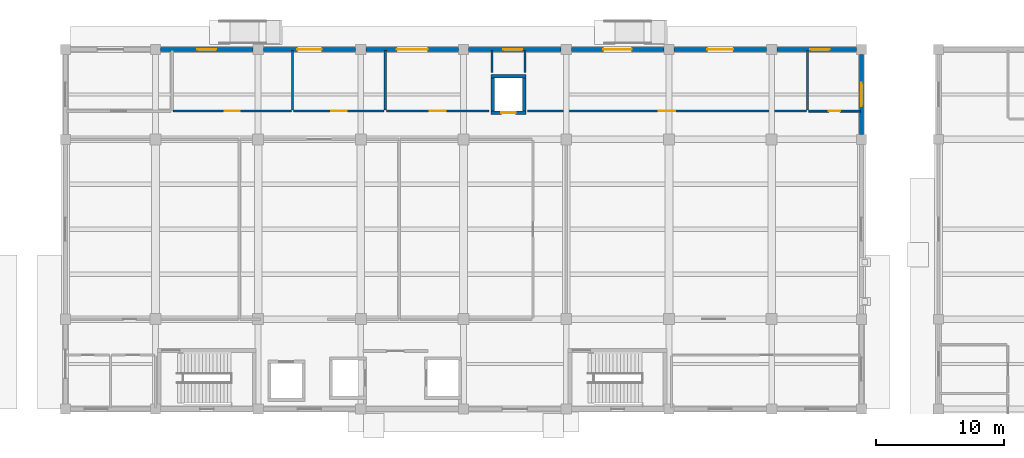
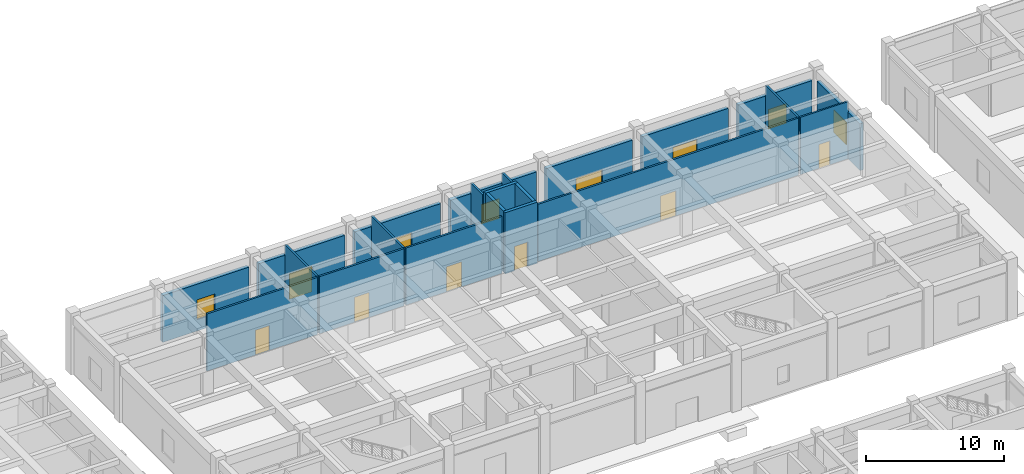
# One storey, part 26 of 40: 22 walls, 10 doors, 4 windows, 14 openings.
"""IFC4 building model written with IfcOpenShell, lengths in metres."""

from ifc_helpers import new_model, si_unit, direction, frame, frame_2d, origin, place, context, subcontext, project, spatial, rectangle, extrude, material, layer, layer_set, type_object, element, fill, save


model = new_model("IFC4")

# Units and contexts
model_context = context("Model", 3, precision=1e-05, world=origin(), true_north=direction((0.0, 1.0)))
body_context = subcontext(model_context, "Body", "Model", "MODEL_VIEW")
ifc_project = project(units=[si_unit("LENGTHUNIT", "METRE"), si_unit("AREAUNIT", "SQUARE_METRE"), si_unit("VOLUMEUNIT", "CUBIC_METRE"), si_unit("PLANEANGLEUNIT", "RADIAN"), si_unit("MASSUNIT", "GRAM", prefix="KILO")], contexts=[model_context])

# Site, building, storey
site_placement = place(None, origin())
site = spatial("IfcSite", under=ifc_project, at=site_placement, CompositionType="ELEMENT")
building_placement = place(site_placement, origin())
building = spatial("IfcBuilding", under=site, at=building_placement, Name="Naurynzar Civic Courthouse", CompositionType="ELEMENT")
storey_placement = place(building_placement, origin())
storey = spatial("IfcBuildingStorey", under=building, at=storey_placement, Name="L01", CompositionType="ELEMENT", Elevation=0.0)

# Wall, opening, window
ifc_material_1 = material(Name="Precast concrete C40/50", Category="concrete")
ifc_layer_1 = layer(ifc_material_1, 0.300048828125)
ifc_layer_set_1 = layer_set([ifc_layer_1], Name="WL-EXT-300")
wall_type_1 = type_object("IfcWallType", Name="WL-EXT-300", PredefinedType="SOLIDWALL", material=ifc_layer_set_1)
wall_1_placement = place(storey_placement, frame((69.39990234375, 72.0, 0.0), z_axis=(0.0, 0.0, 1.0), x_axis=(1.0, 0.0, 0.0)))
wall_1 = element("IfcWall", 1, at=wall_1_placement, inside=storey, type_object=wall_type_1, Name="V2 exterior wall north L01.2.1", PredefinedType="SOLIDWALL", context=body_context, shape_type="SweptSolid", body=[
    extrude(rectangle(XDim=7.2001953125, YDim=0.300048828125, at=frame_2d((3.60009765625, 0.0))), origin(), (0.0, 0.0, 1.0), 4.1298828125),
])
opening_1_placement = place(wall_1_placement, frame((2.85009765625, 0.0, 1.0)))
opening_1 = element("IfcOpeningElement", 2, at=opening_1_placement, cuts=wall_1, Name="Opening WN-05", PredefinedType="OPENING", context=body_context, shape_type="SweptSolid", body=[
    extrude(rectangle(XDim=1.5, YDim=1.75, at=frame_2d((0.75, 0.875))), frame((0.0, 0.159912109375, 0.0), z_axis=(0.0, -1.0, 0.0), x_axis=(1.0, 0.0, 0.0)), (0.0, 0.0, 1.0), 0.320068359375),
])
ifc_material_2 = material(Name="Tempered Laminated Low-E Glass", Category="glass")
window_type_1 = type_object("IfcWindowType", Name="WIN-CHAMB-1500x1750", PartitioningType="SINGLE_PANEL", PredefinedType="WINDOW", material=ifc_material_2)
window_1_placement = place(opening_1_placement, origin())
window_1 = element("IfcWindow", 3, at=window_1_placement, inside=storey, type_object=window_type_1, Name="V2 window 41 L01", OverallHeight=1.75, OverallWidth=1.5, PartitioningType="SINGLE_PANEL", PredefinedType="WINDOW", context=body_context, shape_type="SweptSolid", body=[
    extrude(rectangle(XDim=1.5, YDim=1.75, at=frame_2d((0.75, 0.875))), frame((0.0, 0.030029296875, 0.0), z_axis=(0.0, -1.0, 0.0), x_axis=(1.0, 0.0, 0.0)), (0.0, 0.0, 1.0), 0.06005859375),
])
fill(opening_1, window_1)

# Wall, opening, door
wall_2_placement = place(storey_placement, frame((77.39990234375, 72.0, 0.0), z_axis=(0.0, 0.0, 1.0), x_axis=(1.0, 0.0, 0.0)))
wall_2 = element("IfcWall", 4, at=wall_2_placement, inside=storey, type_object=wall_type_1, Name="V2 exterior wall north L01.3.1", PredefinedType="SOLIDWALL", context=body_context, shape_type="SweptSolid", body=[
    extrude(rectangle(XDim=7.2001953125, YDim=0.300048828125, at=frame_2d((3.60009765625, 0.0))), origin(), (0.0, 0.0, 1.0), 4.1298828125),
])
opening_2_placement = place(wall_2_placement, frame((2.64990234375, 0.0, 0.0)))
opening_2 = element("IfcOpeningElement", 5, at=opening_2_placement, cuts=wall_2, Name="Opening ED-08", PredefinedType="OPENING", context=body_context, shape_type="SweptSolid", body=[
    extrude(rectangle(XDim=1.89990234375, YDim=2.25, at=frame_2d((0.949951171875, 1.125))), frame((0.0, 0.159912109375, 0.0), z_axis=(0.0, -1.0, 0.0), x_axis=(1.0, 0.0, 0.0)), (0.0, 0.0, 1.0), 0.320068359375),
])
ifc_material_3 = material(Name="Aluminium 6063-T6", Category="aluminium")
door_type_1 = type_object("IfcDoorType", Name="DR-EXT-1900x2250", OperationType="DOUBLE_DOOR_SINGLE_SWING", PredefinedType="DOOR", material=ifc_material_3)
door_1_placement = place(opening_2_placement, origin())
door_1 = element("IfcDoor", 6, at=door_1_placement, inside=storey, type_object=door_type_1, Name="Ground final exit door ED-08", OperationType="DOUBLE_DOOR_SINGLE_SWING", OverallHeight=2.25, OverallWidth=1.89990234375, PredefinedType="DOOR", context=body_context, shape_type="SweptSolid", body=[
    extrude(rectangle(XDim=1.89990234375, YDim=2.25, at=frame_2d((0.949951171875, 1.125))), frame((0.0, 0.02490234375, 0.0), z_axis=(0.0, -1.0, 0.0), x_axis=(1.0, 0.0, 0.0)), (0.0, 0.0, 1.0), 0.050048828125),
])
fill(opening_2, door_1)

wall_3_placement = place(storey_placement, frame((85.39990234375, 72.0, 0.0), z_axis=(0.0, 0.0, 1.0), x_axis=(1.0, 0.0, 0.0)))
wall_3 = element("IfcWall", 7, at=wall_3_placement, inside=storey, type_object=wall_type_1, Name="V2 exterior wall north L01.4.1", PredefinedType="SOLIDWALL", context=body_context, shape_type="SweptSolid", body=[
    extrude(rectangle(XDim=7.2001953125, YDim=0.300048828125, at=frame_2d((3.60009765625, 0.0))), origin(), (0.0, 0.0, 1.0), 4.1298828125),
])
opening_3_placement = place(wall_3_placement, frame((2.39990234375, 0.0, 0.0)))
opening_3 = element("IfcOpeningElement", 8, at=opening_3_placement, cuts=wall_3, Name="Opening ED-09", PredefinedType="OPENING", context=body_context, shape_type="SweptSolid", body=[
    extrude(rectangle(XDim=2.39990234375, YDim=2.39990234375, at=frame_2d((1.199951171875, 1.199951171875))), frame((0.0, 0.159912109375, 0.0), z_axis=(0.0, -1.0, 0.0), x_axis=(1.0, 0.0, 0.0)), (0.0, 0.0, 1.0), 0.320068359375),
])
ifc_material_4 = material(Name="Aluminium 6063-T6", Category="aluminium")
door_type_2 = type_object("IfcDoorType", Name="DR-EXT-2400x2400", OperationType="DOUBLE_DOOR_SINGLE_SWING", PredefinedType="DOOR", material=ifc_material_4)
door_2_placement = place(opening_3_placement, origin())
door_2 = element("IfcDoor", 9, at=door_2_placement, inside=storey, type_object=door_type_2, Name="Ground final exit door ED-09", OperationType="DOUBLE_DOOR_SINGLE_SWING", OverallHeight=2.39990234375, OverallWidth=2.39990234375, PredefinedType="DOOR", context=body_context, shape_type="SweptSolid", body=[
    extrude(rectangle(XDim=2.39990234375, YDim=2.39990234375, at=frame_2d((1.199951171875, 1.199951171875))), frame((0.0, 0.02490234375, 0.0), z_axis=(0.0, -1.0, 0.0), x_axis=(1.0, 0.0, 0.0)), (0.0, 0.0, 1.0), 0.050048828125),
])
fill(opening_3, door_2)

# Wall, opening, window
wall_4_placement = place(storey_placement, frame((93.39990234375, 72.0, 0.0), z_axis=(0.0, 0.0, 1.0), x_axis=(1.0, 0.0, 0.0)))
wall_4 = element("IfcWall", 10, at=wall_4_placement, inside=storey, type_object=wall_type_1, Name="V2 exterior wall north L01.5.1", PredefinedType="SOLIDWALL", context=body_context, shape_type="SweptSolid", body=[
    extrude(rectangle(XDim=7.2001953125, YDim=0.300048828125, at=frame_2d((3.60009765625, 0.0))), origin(), (0.0, 0.0, 1.0), 4.1298828125),
])
opening_4_placement = place(wall_4_placement, frame((2.679931640625, 0.0, 1.0)))
opening_4 = element("IfcOpeningElement", 11, at=opening_4_placement, cuts=wall_4, Name="Opening WN-05", PredefinedType="OPENING", context=body_context, shape_type="SweptSolid", body=[
    extrude(rectangle(XDim=1.5, YDim=1.75, at=frame_2d((0.75, 0.875))), frame((0.0, 0.159912109375, 0.0), z_axis=(0.0, -1.0, 0.0), x_axis=(1.0, 0.0, 0.0)), (0.0, 0.0, 1.0), 0.320068359375),
])
window_2_placement = place(opening_4_placement, origin())
window_2 = element("IfcWindow", 12, at=window_2_placement, inside=storey, type_object=window_type_1, Name="V2 window 42 L01", OverallHeight=1.75, OverallWidth=1.5, PartitioningType="SINGLE_PANEL", PredefinedType="WINDOW", context=body_context, shape_type="SweptSolid", body=[
    extrude(rectangle(XDim=1.5, YDim=1.75, at=frame_2d((0.75, 0.875))), frame((0.0, 0.030029296875, 0.0), z_axis=(0.0, -1.0, 0.0), x_axis=(1.0, 0.0, 0.0)), (0.0, 0.0, 1.0), 0.06005859375),
])
fill(opening_4, window_2)

# Wall, opening, door
wall_5_placement = place(storey_placement, frame((101.39990234375, 72.0, 0.0), z_axis=(0.0, 0.0, 1.0), x_axis=(1.0, 0.0, 0.0)))
wall_5 = element("IfcWall", 13, at=wall_5_placement, inside=storey, type_object=wall_type_1, Name="V2 exterior wall north L01.6.1", PredefinedType="SOLIDWALL", context=body_context, shape_type="SweptSolid", body=[
    extrude(rectangle(XDim=7.2001953125, YDim=0.300048828125, at=frame_2d((3.60009765625, 0.0))), origin(), (0.0, 0.0, 1.0), 4.1298828125),
])
opening_5_placement = place(wall_5_placement, frame((2.5, 0.0, 0.0)))
opening_5 = element("IfcOpeningElement", 14, at=opening_5_placement, cuts=wall_5, Name="Opening ED-10", PredefinedType="OPENING", context=body_context, shape_type="SweptSolid", body=[
    extrude(rectangle(XDim=2.199951171875, YDim=2.39990234375, at=frame_2d((1.10009765625, 1.199951171875))), frame((0.0, 0.159912109375, 0.0), z_axis=(0.0, -1.0, 0.0), x_axis=(1.0, 0.0, 0.0)), (0.0, 0.0, 1.0), 0.320068359375),
])
ifc_material_5 = material(Name="Aluminium 6063-T6", Category="aluminium")
door_type_3 = type_object("IfcDoorType", Name="DR-EXT-2200x2400", OperationType="DOUBLE_DOOR_SINGLE_SWING", PredefinedType="DOOR", material=ifc_material_5)
door_3_placement = place(opening_5_placement, origin())
door_3 = element("IfcDoor", 15, at=door_3_placement, inside=storey, type_object=door_type_3, Name="Ground final exit door ED-10", OperationType="DOUBLE_DOOR_SINGLE_SWING", OverallHeight=2.39990234375, OverallWidth=2.199951171875, PredefinedType="DOOR", context=body_context, shape_type="SweptSolid", body=[
    extrude(rectangle(XDim=2.199951171875, YDim=2.39990234375, at=frame_2d((1.10009765625, 1.199951171875))), frame((0.0, 0.02490234375, 0.0), z_axis=(0.0, -1.0, 0.0), x_axis=(1.0, 0.0, 0.0)), (0.0, 0.0, 1.0), 0.050048828125),
])
fill(opening_5, door_3)

wall_6_placement = place(storey_placement, frame((109.39990234375, 72.0, 0.0), z_axis=(0.0, 0.0, 1.0), x_axis=(1.0, 0.0, 0.0)))
wall_6 = element("IfcWall", 16, at=wall_6_placement, inside=storey, type_object=wall_type_1, Name="V2 exterior wall north L01.7.1", PredefinedType="SOLIDWALL", context=body_context, shape_type="SweptSolid", body=[
    extrude(rectangle(XDim=7.2001953125, YDim=0.300048828125, at=frame_2d((3.60009765625, 0.0))), origin(), (0.0, 0.0, 1.0), 4.1298828125),
])
opening_6_placement = place(wall_6_placement, frame((2.60009765625, 0.0, 0.0)))
opening_6 = element("IfcOpeningElement", 17, at=opening_6_placement, cuts=wall_6, Name="Opening ED-11", PredefinedType="OPENING", context=body_context, shape_type="SweptSolid", body=[
    extrude(rectangle(XDim=2.0, YDim=2.300048828125, at=frame_2d((1.0, 1.14990234375))), frame((0.0, 0.159912109375, 0.0), z_axis=(0.0, -1.0, 0.0), x_axis=(1.0, 0.0, 0.0)), (0.0, 0.0, 1.0), 0.320068359375),
])
ifc_material_6 = material(Name="Aluminium 6063-T6", Category="aluminium")
door_type_4 = type_object("IfcDoorType", Name="DR-EXT-2000x2300", OperationType="DOUBLE_DOOR_SINGLE_SWING", PredefinedType="DOOR", material=ifc_material_6)
door_4_placement = place(opening_6_placement, origin())
door_4 = element("IfcDoor", 18, at=door_4_placement, inside=storey, type_object=door_type_4, Name="Ground final exit door ED-11", OperationType="DOUBLE_DOOR_SINGLE_SWING", OverallHeight=2.300048828125, OverallWidth=2.0, PredefinedType="DOOR", context=body_context, shape_type="SweptSolid", body=[
    extrude(rectangle(XDim=2.0, YDim=2.300048828125, at=frame_2d((1.0, 1.14990234375))), frame((0.0, 0.02490234375, 0.0), z_axis=(0.0, -1.0, 0.0), x_axis=(1.0, 0.0, 0.0)), (0.0, 0.0, 1.0), 0.050048828125),
])
fill(opening_6, door_4)

# Wall, opening, window
wall_7_placement = place(storey_placement, frame((117.39990234375, 72.0, 0.0), z_axis=(0.0, 0.0, 1.0), x_axis=(1.0, 0.0, 0.0)))
wall_7 = element("IfcWall", 19, at=wall_7_placement, inside=storey, type_object=wall_type_1, Name="V2 exterior wall north L01.8.1", PredefinedType="SOLIDWALL", context=body_context, shape_type="SweptSolid", body=[
    extrude(rectangle(XDim=6.2001953125, YDim=0.300048828125, at=frame_2d((3.10009765625, 0.0))), origin(), (0.0, 0.0, 1.0), 4.1298828125),
])
opening_7_placement = place(wall_7_placement, frame((2.6201171875, 0.0, 1.0)))
opening_7 = element("IfcOpeningElement", 20, at=opening_7_placement, cuts=wall_7, Name="Opening WN-05", PredefinedType="OPENING", context=body_context, shape_type="SweptSolid", body=[
    extrude(rectangle(XDim=1.5, YDim=1.75, at=frame_2d((0.75, 0.875))), frame((0.0, 0.159912109375, 0.0), z_axis=(0.0, -1.0, 0.0), x_axis=(1.0, 0.0, 0.0)), (0.0, 0.0, 1.0), 0.320068359375),
])
window_3_placement = place(opening_7_placement, origin())
window_3 = element("IfcWindow", 21, at=window_3_placement, inside=storey, type_object=window_type_1, Name="V2 window 43 L01", OverallHeight=1.75, OverallWidth=1.5, PartitioningType="SINGLE_PANEL", PredefinedType="WINDOW", context=body_context, shape_type="SweptSolid", body=[
    extrude(rectangle(XDim=1.5, YDim=1.75, at=frame_2d((0.75, 0.875))), frame((0.0, 0.030029296875, 0.0), z_axis=(0.0, -1.0, 0.0), x_axis=(1.0, 0.0, 0.0)), (0.0, 0.0, 1.0), 0.06005859375),
])
fill(opening_7, window_3)

wall_8_placement = place(storey_placement, frame((124.0, 71.60009765625, 0.0), z_axis=(0.0, 0.0, 1.0), x_axis=(0.0, -1.0, 0.0)))
wall_8 = element("IfcWall", 22, at=wall_8_placement, inside=storey, type_object=wall_type_1, Name="V2 exterior wall east L01.1.1", PredefinedType="SOLIDWALL", context=body_context, shape_type="SweptSolid", body=[
    extrude(rectangle(XDim=6.2001953125, YDim=0.300048828125, at=frame_2d((3.10009765625, 0.0))), origin(), (0.0, 0.0, 1.0), 4.1298828125),
])
opening_8_placement = place(wall_8_placement, frame((2.199951171875, 0.0, 0.89990234375)))
opening_8 = element("IfcOpeningElement", 23, at=opening_8_placement, cuts=wall_8, Name="Opening WN-03", PredefinedType="OPENING", context=body_context, shape_type="SweptSolid", body=[
    extrude(rectangle(XDim=1.800048828125, YDim=2.0, at=frame_2d((0.89990234375, 1.0))), frame((0.0, 0.159912109375, 0.0), z_axis=(0.0, -1.0, 0.0), x_axis=(1.0, 0.0, 0.0)), (0.0, 0.0, 1.0), 0.320068359375),
])
ifc_material_7 = material(Name="Tempered Laminated Low-E Glass", Category="glass")
window_type_2 = type_object("IfcWindowType", Name="WIN-COURT-1800x2000", PartitioningType="DOUBLE_PANEL_VERTICAL", PredefinedType="WINDOW", material=ifc_material_7)
window_4_placement = place(opening_8_placement, origin())
window_4 = element("IfcWindow", 24, at=window_4_placement, inside=storey, type_object=window_type_2, Name="V2 window 44 L01", OverallHeight=2.0, OverallWidth=1.800048828125, PartitioningType="SINGLE_PANEL", PredefinedType="WINDOW", context=body_context, shape_type="SweptSolid", body=[
    extrude(rectangle(XDim=1.800048828125, YDim=2.0, at=frame_2d((0.89990234375, 1.0))), frame((0.0, 0.030029296875, 0.0), z_axis=(0.0, -1.0, 0.0), x_axis=(1.0, 0.0, 0.0)), (0.0, 0.0, 1.0), 0.06005859375),
])
fill(opening_8, window_4)

# Wall, opening, door
ifc_material_8 = material(Name="Insulated Metal-Stud Gypsum Partition")
ifc_layer_2 = layer(ifc_material_8, 0.159912109375)
ifc_layer_set_2 = layer_set([ifc_layer_2], Name="WL-PART-CHAMB-160")
wall_type_2 = type_object("IfcWallType", Name="WL-PART-CHAMB-160", PredefinedType="PARTITIONING", material=ifc_layer_set_2)
wall_9_placement = place(storey_placement, frame((70.3798828125, 67.199951171875, 0.0), z_axis=(0.0, 0.0, 1.0), x_axis=(1.0, 0.0, 0.0)))
wall_9 = element("IfcWall", 25, at=wall_9_placement, inside=storey, type_object=wall_type_2, Name="V2 interior partition L01.128", PredefinedType="PARTITIONING", context=body_context, shape_type="SweptSolid", body=[
    extrude(rectangle(XDim=9.22021484375, YDim=0.159912109375, at=frame_2d((4.610107421875, 0.0))), origin(), (0.0, 0.0, 1.0), 5.0400390625),
])
opening_9_placement = place(wall_9_placement, frame((4.02001953125, 0.0, 0.0)))
opening_9 = element("IfcOpeningElement", 26, at=opening_9_placement, cuts=wall_9, Name="Opening D-109", PredefinedType="OPENING", context=body_context, shape_type="SweptSolid", body=[
    extrude(rectangle(XDim=1.179931640625, YDim=2.199951171875, at=frame_2d((0.58984375, 1.10009765625))), frame((0.0, 0.08984375, 0.0), z_axis=(0.0, -1.0, 0.0), x_axis=(1.0, 0.0, 0.0)), (0.0, 0.0, 1.0), 0.179931640625),
])
ifc_material_9 = material(Name="Acoustic Oak Timber Grade A", Category="wood")
door_type_5 = type_object("IfcDoorType", Name="DR-SUITE-1180x2200", OperationType="NOTDEFINED", PredefinedType="DOOR", material=ifc_material_9)
door_5_placement = place(opening_9_placement, origin())
door_5 = element("IfcDoor", 27, at=door_5_placement, inside=storey, type_object=door_type_5, Name="Interior door D-109 (Judges' Chambers L01-2)", OperationType="SINGLE_SWING_LEFT", OverallHeight=2.199951171875, OverallWidth=1.179931640625, PredefinedType="DOOR", context=body_context, shape_type="SweptSolid", body=[
    extrude(rectangle(XDim=1.179931640625, YDim=2.199951171875, at=frame_2d((0.58984375, 1.10009765625))), frame((0.0, 0.02490234375, 0.0), z_axis=(0.0, -1.0, 0.0), x_axis=(1.0, 0.0, 0.0)), (0.0, 0.0, 1.0), 0.050048828125),
])
fill(opening_9, door_5)

wall_10_placement = place(storey_placement, frame((79.760009765625, 67.199951171875, 0.0), z_axis=(0.0, 0.0, 1.0), x_axis=(1.0, 0.0, 0.0)))
wall_10 = element("IfcWall", 28, at=wall_10_placement, inside=storey, type_object=wall_type_2, Name="V2 interior partition L01.129", PredefinedType="PARTITIONING", context=body_context, shape_type="SweptSolid", body=[
    extrude(rectangle(XDim=7.06005859375, YDim=0.159912109375, at=frame_2d((3.530029296875, 0.0))), origin(), (0.0, 0.0, 1.0), 5.0400390625),
])
opening_10_placement = place(wall_10_placement, frame((2.919921875, 0.0, 0.0)))
opening_10 = element("IfcOpeningElement", 29, at=opening_10_placement, cuts=wall_10, Name="Opening D-110", PredefinedType="OPENING", context=body_context, shape_type="SweptSolid", body=[
    extrude(rectangle(XDim=1.219970703125, YDim=2.199951171875, at=frame_2d((0.60986328125, 1.10009765625))), frame((0.0, 0.08984375, 0.0), z_axis=(0.0, -1.0, 0.0), x_axis=(1.0, 0.0, 0.0)), (0.0, 0.0, 1.0), 0.179931640625),
])
ifc_material_10 = material(Name="Acoustic Oak Timber Grade A", Category="wood")
door_type_6 = type_object("IfcDoorType", Name="DR-SUITE-1220x2200", OperationType="NOTDEFINED", PredefinedType="DOOR", material=ifc_material_10)
door_6_placement = place(opening_10_placement, origin())
door_6 = element("IfcDoor", 30, at=door_6_placement, inside=storey, type_object=door_type_6, Name="Interior door D-110 (Judges' Chambers L01-3)", OperationType="SINGLE_SWING_RIGHT", OverallHeight=2.199951171875, OverallWidth=1.219970703125, PredefinedType="DOOR", context=body_context, shape_type="SweptSolid", body=[
    extrude(rectangle(XDim=1.219970703125, YDim=2.199951171875, at=frame_2d((0.60986328125, 1.10009765625))), frame((0.0, 0.02490234375, 0.0), z_axis=(0.0, -1.0, 0.0), x_axis=(1.0, 0.0, 0.0)), (0.0, 0.0, 1.0), 0.050048828125),
])
fill(opening_10, door_6)

wall_11_placement = place(storey_placement, frame((86.97998046875, 67.199951171875, 0.0), z_axis=(0.0, 0.0, 1.0), x_axis=(1.0, 0.0, 0.0)))
wall_11 = element("IfcWall", 31, at=wall_11_placement, inside=storey, type_object=wall_type_2, Name="V2 interior partition L01.130", PredefinedType="PARTITIONING", context=body_context, shape_type="SweptSolid", body=[
    extrude(rectangle(XDim=8.02001953125, YDim=0.159912109375, at=frame_2d((4.010009765625, 0.0))), origin(), (0.0, 0.0, 1.0), 5.0400390625),
])
opening_11_placement = place(wall_11_placement, frame((3.3798828125, 0.0, 0.0)))
opening_11 = element("IfcOpeningElement", 32, at=opening_11_placement, cuts=wall_11, Name="Opening D-111", PredefinedType="OPENING", context=body_context, shape_type="SweptSolid", body=[
    extrude(rectangle(XDim=1.260009765625, YDim=2.199951171875, at=frame_2d((0.6298828125, 1.10009765625))), frame((0.0, 0.08984375, 0.0), z_axis=(0.0, -1.0, 0.0), x_axis=(1.0, 0.0, 0.0)), (0.0, 0.0, 1.0), 0.179931640625),
])
ifc_material_11 = material(Name="Acoustic Oak Timber Grade A", Category="wood")
door_type_7 = type_object("IfcDoorType", Name="DR-SUITE-1260x2200", OperationType="NOTDEFINED", PredefinedType="DOOR", material=ifc_material_11)
door_7_placement = place(opening_11_placement, origin())
door_7 = element("IfcDoor", 33, at=door_7_placement, inside=storey, type_object=door_type_7, Name="Interior door D-111 (Judges' Chambers L01-4)", OperationType="SINGLE_SWING_LEFT", OverallHeight=2.199951171875, OverallWidth=1.260009765625, PredefinedType="DOOR", context=body_context, shape_type="SweptSolid", body=[
    extrude(rectangle(XDim=1.260009765625, YDim=2.199951171875, at=frame_2d((0.6298828125, 1.10009765625))), frame((0.0, 0.02490234375, 0.0), z_axis=(0.0, -1.0, 0.0), x_axis=(1.0, 0.0, 0.0)), (0.0, 0.0, 1.0), 0.050048828125),
])
fill(opening_11, door_7)

wall_12_placement = place(storey_placement, frame((98.0, 67.199951171875, 0.0), z_axis=(0.0, 0.0, 1.0), x_axis=(1.0, 0.0, 0.0)))
wall_12 = element("IfcWall", 34, at=wall_12_placement, inside=storey, type_object=wall_type_2, Name="V2 interior partition L01.131", PredefinedType="PARTITIONING", context=body_context, shape_type="SweptSolid", body=[
    extrude(rectangle(XDim=21.719970703125, YDim=0.159912109375, at=frame_2d((10.85986328125, 0.0))), origin(), (0.0, 0.0, 1.0), 5.0400390625),
])
opening_12_placement = place(wall_12_placement, frame((10.219970703125, 0.0, 0.0)))
opening_12 = element("IfcOpeningElement", 35, at=opening_12_placement, cuts=wall_12, Name="Opening D-112", PredefinedType="OPENING", context=body_context, shape_type="SweptSolid", body=[
    extrude(rectangle(XDim=1.280029296875, YDim=2.199951171875, at=frame_2d((0.64013671875, 1.10009765625))), frame((0.0, 0.08984375, 0.0), z_axis=(0.0, -1.0, 0.0), x_axis=(1.0, 0.0, 0.0)), (0.0, 0.0, 1.0), 0.179931640625),
])
ifc_material_12 = material(Name="Acoustic Oak Timber Grade A", Category="wood")
door_type_8 = type_object("IfcDoorType", Name="DR-SUITE-1280x2200", OperationType="NOTDEFINED", PredefinedType="DOOR", material=ifc_material_12)
door_8_placement = place(opening_12_placement, origin())
door_8 = element("IfcDoor", 36, at=door_8_placement, inside=storey, type_object=door_type_8, Name="Interior door D-112 (Senior Judges' Chambers L01-E)", OperationType="SINGLE_SWING_RIGHT", OverallHeight=2.199951171875, OverallWidth=1.280029296875, PredefinedType="DOOR", context=body_context, shape_type="SweptSolid", body=[
    extrude(rectangle(XDim=1.280029296875, YDim=2.199951171875, at=frame_2d((0.64013671875, 1.10009765625))), frame((0.0, 0.02490234375, 0.0), z_axis=(0.0, -1.0, 0.0), x_axis=(1.0, 0.0, 0.0)), (0.0, 0.0, 1.0), 0.050048828125),
])
fill(opening_12, door_8)

# Walls
for number, where, z_axis, x_axis, name in (
    (37, (79.679931640625, 67.280029296875, 0.0), (0.0, 0.0, 1.0), (0.0, 1.0, 0.0), "V2 interior partition L01.155"),
    (38, (86.89990234375, 67.280029296875, 0.0), (0.0, 0.0, 1.0), (0.0, 1.0, 0.0), "V2 interior partition L01.160"),
):
    element("IfcWall", number, at=place(storey_placement, frame(where, z_axis=z_axis, x_axis=x_axis)), inside=storey, type_object=wall_type_2, Name=name, PredefinedType="PARTITIONING", context=body_context, shape_type="SweptSolid", body=[
        extrude(rectangle(XDim=4.639892578125, YDim=0.159912109375, at=frame_2d((2.31982421875, 0.0))), origin(), (0.0, 0.0, 1.0), 5.0400390625),
    ])
for number, where, z_axis, x_axis, name in (
    (39, (95.199951171875, 70.199951171875, 0.0), (0.0, 0.0, 1.0), (0.0, 1.0, 0.0), "V2 interior partition L01.164"),
    (40, (97.800048828125, 70.199951171875, 0.0), (0.0, 0.0, 1.0), (0.0, 1.0, 0.0), "V2 interior partition L01.165"),
):
    element("IfcWall", number, at=place(storey_placement, frame(where, z_axis=z_axis, x_axis=x_axis)), inside=storey, type_object=wall_type_2, Name=name, PredefinedType="PARTITIONING", context=body_context, shape_type="SweptSolid", body=[
        extrude(rectangle(XDim=1.719970703125, YDim=0.159912109375, at=frame_2d((0.85986328125, 0.0))), origin(), (0.0, 0.0, 1.0), 5.0400390625),
    ])
wall_13_placement = place(storey_placement, frame((119.800048828125, 67.280029296875, 0.0), z_axis=(0.0, 0.0, 1.0), x_axis=(0.0, 1.0, 0.0)))
element("IfcWall", 41, at=wall_13_placement, inside=storey, type_object=wall_type_2, Name="V2 interior partition L01.171", PredefinedType="PARTITIONING", context=body_context, shape_type="SweptSolid", body=[
    extrude(rectangle(XDim=4.639892578125, YDim=0.159912109375, at=frame_2d((2.31982421875, 0.0))), origin(), (0.0, 0.0, 1.0), 5.0400390625),
])

# Wall, opening, door
ifc_material_13 = material(Name="Moisture-Resistant Plumbing Partition")
ifc_layer_3 = layer(ifc_material_13, 0.139892578125)
ifc_layer_set_3 = layer_set([ifc_layer_3], Name="WL-PART-WC-140")
wall_type_3 = type_object("IfcWallType", Name="WL-PART-WC-140", PredefinedType="PLUMBINGWALL", material=ifc_layer_set_3)
wall_14_placement = place(storey_placement, frame((119.8798828125, 67.199951171875, 0.0), z_axis=(0.0, 0.0, 1.0), x_axis=(1.0, 0.0, 0.0)))
wall_14 = element("IfcWall", 42, at=wall_14_placement, inside=storey, type_object=wall_type_3, Name="V2 interior partition L01.132", PredefinedType="PLUMBINGWALL", context=body_context, shape_type="SweptSolid", body=[
    extrude(rectangle(XDim=4.0400390625, YDim=0.139892578125, at=frame_2d((2.02001953125, 0.0))), origin(), (0.0, 0.0, 1.0), 5.0400390625),
])
opening_13_placement = place(wall_14_placement, frame((1.56005859375, 0.0, 0.0)))
opening_13 = element("IfcOpeningElement", 43, at=opening_13_placement, cuts=wall_14, Name="Opening D-113", PredefinedType="OPENING", context=body_context, shape_type="SweptSolid", body=[
    extrude(rectangle(XDim=0.919921875, YDim=2.10009765625, at=frame_2d((0.4599609375, 1.050048828125))), frame((0.0, 0.079833984375, 0.0), z_axis=(0.0, -1.0, 0.0), x_axis=(1.0, 0.0, 0.0)), (0.0, 0.0, 1.0), 0.159912109375),
])
ifc_material_14 = material(Name="Acoustic Oak Timber Grade A", Category="wood")
door_type_9 = type_object("IfcDoorType", Name="DR-WC-STD-920x2100", OperationType="NOTDEFINED", PredefinedType="DOOR", material=ifc_material_14)
door_9_placement = place(opening_13_placement, origin())
door_9 = element("IfcDoor", 44, at=door_9_placement, inside=storey, type_object=door_type_9, Name="Interior door D-113 (Judicial Staff WC V2)", OperationType="SINGLE_SWING_LEFT", OverallHeight=2.10009765625, OverallWidth=0.919921875, PredefinedType="DOOR", context=body_context, shape_type="SweptSolid", body=[
    extrude(rectangle(XDim=0.919921875, YDim=2.10009765625, at=frame_2d((0.4599609375, 1.050048828125))), frame((0.0, 0.02490234375, 0.0), z_axis=(0.0, -1.0, 0.0), x_axis=(1.0, 0.0, 0.0)), (0.0, 0.0, 1.0), 0.050048828125),
])
fill(opening_13, door_9)

ifc_material_15 = material(Name="Concrete C40/50", Category="concrete")
ifc_layer_4 = layer(ifc_material_15, 0.25)
ifc_layer_set_4 = layer_set([ifc_layer_4], Name="WL-SHAFT-250")
wall_type_4 = type_object("IfcWallType", Name="WL-SHAFT-250", PredefinedType="SHEAR", material=ifc_layer_set_4)
wall_15_placement = place(storey_placement, frame((95.14990234375, 67.074951171875, 0.0), z_axis=(0.0, 0.0, 1.0), x_axis=(1.0, 0.0, 0.0)))
wall_15 = element("IfcWall", 45, at=wall_15_placement, inside=storey, type_object=wall_type_4, Name="Lift LJ-02 shaft wall south L01", PredefinedType="SHEAR", context=body_context, shape_type="SweptSolid", body=[
    extrude(rectangle(XDim=2.7001953125, YDim=0.25, at=frame_2d((1.35009765625, 0.0))), origin(), (0.0, 0.0, 1.0), 5.39990234375),
])
opening_14_placement = place(wall_15_placement, frame((0.800048828125, 0.0, 0.0)))
opening_14 = element("IfcOpeningElement", 46, at=opening_14_placement, cuts=wall_15, Name="Opening LD-051", PredefinedType="OPENING", context=body_context, shape_type="SweptSolid", body=[
    extrude(rectangle(XDim=1.10009765625, YDim=2.14990234375, at=frame_2d((0.550048828125, 1.074951171875))), frame((0.0, 0.135009765625, 0.0), z_axis=(0.0, -1.0, 0.0), x_axis=(1.0, 0.0, 0.0)), (0.0, 0.0, 1.0), 0.27001953125),
])
ifc_material_16 = material(Name="Brushed Stainless Steel 304", Category="steel")
door_type_10 = type_object("IfcDoorType", Name="DR-LIFT-SLIDE-1100x2150", OperationType="DOUBLE_DOOR_SLIDING", PredefinedType="DOOR", material=ifc_material_16)
door_10_placement = place(opening_14_placement, origin())
door_10 = element("IfcDoor", 47, at=door_10_placement, inside=storey, type_object=door_type_10, Name="Lift LJ-02 sliding landing door L01", OperationType="DOUBLE_DOOR_SLIDING", OverallHeight=2.14990234375, OverallWidth=1.10009765625, PredefinedType="DOOR", context=body_context, shape_type="SweptSolid", body=[
    extrude(rectangle(XDim=1.10009765625, YDim=2.14990234375, at=frame_2d((0.550048828125, 1.074951171875))), frame((0.0, 0.02490234375, 0.0), z_axis=(0.0, -1.0, 0.0), x_axis=(1.0, 0.0, 0.0)), (0.0, 0.0, 1.0), 0.050048828125),
])
fill(opening_14, door_10)

# Walls
wall_16_placement = place(storey_placement, frame((97.85009765625, 69.925048828125, 0.0), z_axis=(0.0, 0.0, 1.0), x_axis=(-1.0, 0.0, 0.0)))
element("IfcWall", 48, at=wall_16_placement, inside=storey, type_object=wall_type_4, Name="Lift LJ-02 shaft wall north L01", PredefinedType="SHEAR", context=body_context, shape_type="SweptSolid", body=[
    extrude(rectangle(XDim=2.7001953125, YDim=0.25, at=frame_2d((1.35009765625, 0.0))), origin(), (0.0, 0.0, 1.0), 5.39990234375),
])
for number, where, z_axis, x_axis, name in (
    (49, (95.27490234375, 69.794921875, 0.0), (0.0, 0.0, 1.0), (0.0, -1.0, 0.0), "Lift LJ-02 shaft wall west L01"),
    (50, (97.72509765625, 67.205078125, 0.0), (0.0, 0.0, 1.0), (0.0, 1.0, 0.0), "Lift LJ-02 shaft wall east L01"),
):
    element("IfcWall", number, at=place(storey_placement, frame(where, z_axis=z_axis, x_axis=x_axis)), inside=storey, type_object=wall_type_4, Name=name, PredefinedType="SHEAR", context=body_context, shape_type="SweptSolid", body=[
        extrude(rectangle(XDim=2.58984375, YDim=0.25, at=frame_2d((1.294921875, 0.0))), origin(), (0.0, 0.0, 1.0), 5.39990234375),
    ])

save(model, "model.ifc")
